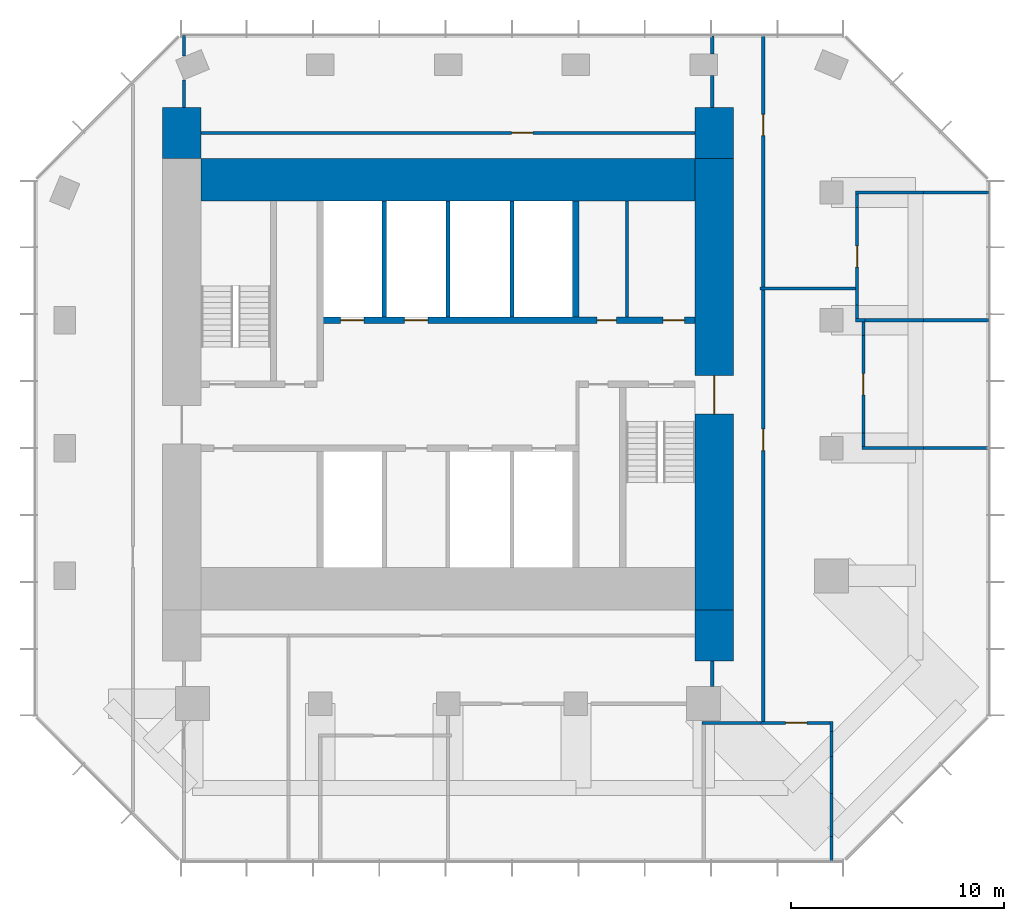
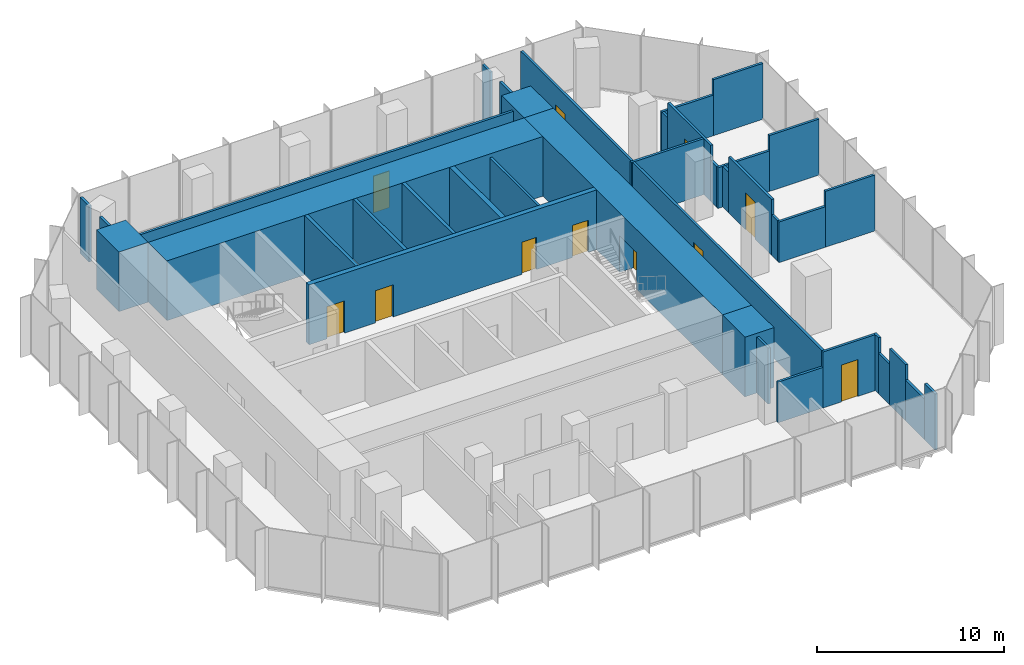
# One storey, part 9 of 11: 40 walls, 11 doors, 11 openings.
"""IFC4 building model written with IfcOpenShell, lengths in metres."""

from ifc_helpers import new_model, si_unit, direction, frame, frame_2d, origin, place, context, subcontext, project, spatial, rectangle, extrude, material, layer, layer_set, type_object, element, fill, save


model = new_model("IFC4")

# Units and contexts
model_context = context("Model", 3, precision=1e-05, world=origin(), true_north=direction((0.0, 1.0)))
body_context = subcontext(model_context, "Body", "Model", "MODEL_VIEW")
ifc_project = project(units=[si_unit("LENGTHUNIT", "METRE"), si_unit("AREAUNIT", "SQUARE_METRE"), si_unit("VOLUMEUNIT", "CUBIC_METRE"), si_unit("PLANEANGLEUNIT", "RADIAN"), si_unit("MASSUNIT", "GRAM", prefix="KILO")], contexts=[model_context])

# Site, building, storey
site_placement = place(None, origin())
site = spatial("IfcSite", under=ifc_project, at=site_placement, CompositionType="ELEMENT")
building_placement = place(site_placement, origin())
building = spatial("IfcBuilding", under=site, at=building_placement, Name="Highveld Stack Headquarters", CompositionType="ELEMENT")
storey_placement = place(building_placement, frame((0.0, 0.0, 287.89990234375)))
storey = spatial("IfcBuildingStorey", under=building, at=storey_placement, Name="L71", CompositionType="ELEMENT", Elevation=287.89990234375)

# Wall, opening, door
ifc_material_1 = material(Name="Concrete C60/75", Category="concrete")
ifc_layer_1 = layer(ifc_material_1, 1.800048828125)
ifc_layer_set_1 = layer_set([ifc_layer_1], Name="Concrete C60/75")
wall_type_1 = type_object("IfcWallType", Name="CORE WALL 1800 C60/75", PredefinedType="SHEAR", material=ifc_layer_set_1)
wall_1_placement = place(storey_placement, frame((18.5, -7.60009765625, 0.0), z_axis=(0.0, 0.0, 1.0), x_axis=(0.0, 1.0, 0.0)))
wall_1 = element("IfcWall", 1, at=wall_1_placement, inside=storey, type_object=wall_type_1, Name="Core wall E L71", PredefinedType="SHEAR", context=body_context, shape_type="SweptSolid", body=[
    extrude(rectangle(XDim=21.2001953125, YDim=1.800048828125, at=frame_2d((10.60009765625, 0.0))), origin(), (0.0, 0.0, 1.0), 3.900146484375),
])
opening_1_placement = place(wall_1_placement, frame((9.199951171875, 0.0, 0.0)))
opening_1 = element("IfcOpeningElement", 2, at=opening_1_placement, cuts=wall_1, Name="Opening L71-02", PredefinedType="OPENING", context=body_context, shape_type="SweptSolid", body=[
    extrude(rectangle(XDim=1.800048828125, YDim=2.39990234375, at=frame_2d((0.89990234375, 1.199951171875))), frame((0.0, 0.909912109375, 0.0), z_axis=(0.0, -1.0, 0.0), x_axis=(1.0, 0.0, 0.0)), (0.0, 0.0, 1.0), 1.820068359375),
])
ifc_material_2 = material(Name="Steel fire door", Category="steel")
door_type_1 = type_object("IfcDoorType", Name="LOBBY FIRE DOOR D4 1800x2400", OperationType="DOUBLE_DOOR_SINGLE_SWING", PredefinedType="DOOR", material=ifc_material_2)
door_1_placement = place(opening_1_placement, origin())
door_1 = element("IfcDoor", 3, at=door_1_placement, inside=storey, type_object=door_type_1, Name="Core east door L71", OperationType="DOUBLE_DOOR_SINGLE_SWING", OverallHeight=2.39990234375, OverallWidth=1.800048828125, PredefinedType="DOOR", context=body_context, shape_type="SweptSolid", body=[
    extrude(rectangle(XDim=1.800048828125, YDim=2.39990234375, at=frame_2d((0.89990234375, 1.199951171875))), frame((0.0, 0.02490234375, 0.0), z_axis=(0.0, -1.0, 0.0), x_axis=(1.0, 0.0, 0.0)), (0.0, 0.0, 1.0), 0.050048828125),
])
fill(opening_1, door_1)

# Wall
ifc_material_3 = material(Name="Concrete C60/75", Category="concrete")
ifc_layer_2 = layer(ifc_material_3, 2.0)
ifc_layer_set_2 = layer_set([ifc_layer_2], Name="Concrete C60/75")
wall_type_2 = type_object("IfcWallType", Name="CORE WALL 2000 C60/75", PredefinedType="SHEAR", material=ifc_layer_set_2)
wall_2_placement = place(storey_placement, frame((-5.60009765625, 12.60009765625, 0.0), z_axis=(0.0, 0.0, 1.0), x_axis=(1.0, 0.0, 0.0)))
element("IfcWall", 4, at=wall_2_placement, inside=storey, type_object=wall_type_2, Name="Core wall N L71", PredefinedType="SHEAR", context=body_context, shape_type="SweptSolid", body=[
    extrude(rectangle(XDim=23.2001953125, YDim=2.0, at=frame_2d((11.60009765625, 0.0))), origin(), (0.0, 0.0, 1.0), 3.900146484375),
])

# Wall, openings, doors
ifc_material_4 = material(Name="Concrete C60/75", Category="concrete")
ifc_layer_3 = layer(ifc_material_4, 0.300048828125)
ifc_layer_set_3 = layer_set([ifc_layer_3], Name="Concrete C60/75")
wall_type_3 = type_object("IfcWallType", Name="CORE WALL 300 C60/75", PredefinedType="SHEAR", material=ifc_layer_set_3)
wall_3_placement = place(storey_placement, frame((-0.14990234375, 6.0, 0.0), z_axis=(0.0, 0.0, 1.0), x_axis=(1.0, 0.0, 0.0)))
wall_3 = element("IfcWall", 5, at=wall_3_placement, inside=storey, type_object=wall_type_3, Name="Core wall I-Y6 L71", PredefinedType="SHEAR", context=body_context, shape_type="SweptSolid", body=[
    extrude(rectangle(XDim=17.75, YDim=0.300048828125, at=frame_2d((8.875, 0.0))), origin(), (0.0, 0.0, 1.0), 3.900146484375),
])
opening_2_placement = place(wall_3_placement, frame((13.14990234375, 0.0, 0.0)))
opening_2 = element("IfcOpeningElement", 6, at=opening_2_placement, cuts=wall_3, Name="Opening L71-08", PredefinedType="OPENING", context=body_context, shape_type="SweptSolid", body=[
    extrude(rectangle(XDim=0.89990234375, YDim=2.10009765625, at=frame_2d((0.449951171875, 1.050048828125))), frame((0.0, 0.159912109375, 0.0), z_axis=(0.0, -1.0, 0.0), x_axis=(1.0, 0.0, 0.0)), (0.0, 0.0, 1.0), 0.320068359375),
])
opening_3_placement = place(wall_3_placement, frame((16.25, 0.0, 0.0)))
opening_3 = element("IfcOpeningElement", 7, at=opening_3_placement, cuts=wall_3, Name="Opening L71-09", PredefinedType="OPENING", context=body_context, shape_type="SweptSolid", body=[
    extrude(rectangle(XDim=1.0, YDim=2.10009765625, at=frame_2d((0.5, 1.050048828125))), frame((0.0, 0.159912109375, 0.0), z_axis=(0.0, -1.0, 0.0), x_axis=(1.0, 0.0, 0.0)), (0.0, 0.0, 1.0), 0.320068359375),
])
opening_4_placement = place(wall_3_placement, frame((1.10009765625, 0.0, 0.0)))
opening_4 = element("IfcOpeningElement", 8, at=opening_4_placement, cuts=wall_3, Name="Opening LD", PredefinedType="OPENING", context=body_context, shape_type="SweptSolid", body=[
    extrude(rectangle(XDim=1.10009765625, YDim=2.10009765625, at=frame_2d((0.550048828125, 1.050048828125))), frame((0.0, 0.159912109375, 0.0), z_axis=(0.0, -1.0, 0.0), x_axis=(1.0, 0.0, 0.0)), (0.0, 0.0, 1.0), 0.320068359375),
])
opening_5_placement = place(wall_3_placement, frame((4.10009765625, 0.0, 0.0)))
opening_5 = element("IfcOpeningElement", 9, at=opening_5_placement, cuts=wall_3, Name="Opening LD", PredefinedType="OPENING", context=body_context, shape_type="SweptSolid", body=[
    extrude(rectangle(XDim=1.10009765625, YDim=2.10009765625, at=frame_2d((0.550048828125, 1.050048828125))), frame((0.0, 0.159912109375, 0.0), z_axis=(0.0, -1.0, 0.0), x_axis=(1.0, 0.0, 0.0)), (0.0, 0.0, 1.0), 0.320068359375),
])
ifc_material_5 = material(Name="Timber door, painted", Category="wood")
door_type_2 = type_object("IfcDoorType", Name="ACCESSIBLE WC DOOR D2 1000x2100", OperationType="SINGLE_SWING_RIGHT", PredefinedType="DOOR", material=ifc_material_5)
door_2_placement = place(opening_3_placement, origin())
door_2 = element("IfcDoor", 10, at=door_2_placement, inside=storey, type_object=door_type_2, Name="Accessible WC door L71", OperationType="SINGLE_SWING_RIGHT", OverallHeight=2.10009765625, OverallWidth=1.0, PredefinedType="DOOR", context=body_context, shape_type="SweptSolid", body=[
    extrude(rectangle(XDim=1.0, YDim=2.10009765625, at=frame_2d((0.5, 1.050048828125))), frame((0.0, 0.02490234375, 0.0), z_axis=(0.0, -1.0, 0.0), x_axis=(1.0, 0.0, 0.0)), (0.0, 0.0, 1.0), 0.050048828125),
])
fill(opening_3, door_2)
ifc_material_6 = material(Name="Stainless steel lift landing door", Category="steel")
door_type_3 = type_object("IfcDoorType", Name="LIFT LANDING DOOR LD 1100x2100", OperationType="DOUBLE_DOOR_SLIDING", PredefinedType="USERDEFINED", material=ifc_material_6)
door_3_placement = place(opening_4_placement, origin())
door_3 = element("IfcDoor", 11, at=door_3_placement, inside=storey, type_object=door_type_3, Name="Lift landing door FF1 L71", ObjectType="LIFT LANDING DOOR", OperationType="DOUBLE_DOOR_SLIDING", OverallHeight=2.10009765625, OverallWidth=1.10009765625, PredefinedType="USERDEFINED", context=body_context, shape_type="SweptSolid", body=[
    extrude(rectangle(XDim=1.10009765625, YDim=2.10009765625, at=frame_2d((0.550048828125, 1.050048828125))), frame((0.0, 0.02490234375, 0.0), z_axis=(0.0, -1.0, 0.0), x_axis=(1.0, 0.0, 0.0)), (0.0, 0.0, 1.0), 0.050048828125),
])
fill(opening_4, door_3)
door_4_placement = place(opening_5_placement, origin())
door_4 = element("IfcDoor", 12, at=door_4_placement, inside=storey, type_object=door_type_3, Name="Lift landing door FF2 L71", ObjectType="LIFT LANDING DOOR", OperationType="DOUBLE_DOOR_SLIDING", OverallHeight=2.10009765625, OverallWidth=1.10009765625, PredefinedType="USERDEFINED", context=body_context, shape_type="SweptSolid", body=[
    extrude(rectangle(XDim=1.10009765625, YDim=2.10009765625, at=frame_2d((0.550048828125, 1.050048828125))), frame((0.0, 0.02490234375, 0.0), z_axis=(0.0, -1.0, 0.0), x_axis=(1.0, 0.0, 0.0)), (0.0, 0.0, 1.0), 0.050048828125),
])
fill(opening_5, door_4)
ifc_material_7 = material(Name="Timber door, painted", Category="wood")
door_type_4 = type_object("IfcDoorType", Name="WC DOOR D1 900x2100", OperationType="SINGLE_SWING_LEFT", PredefinedType="DOOR", material=ifc_material_7)
door_5_placement = place(opening_2_placement, origin())
door_5 = element("IfcDoor", 13, at=door_5_placement, inside=storey, type_object=door_type_4, Name="Male WC door L71", OperationType="SINGLE_SWING_RIGHT", OverallHeight=2.10009765625, OverallWidth=0.89990234375, PredefinedType="DOOR", context=body_context, shape_type="SweptSolid", body=[
    extrude(rectangle(XDim=0.89990234375, YDim=2.10009765625, at=frame_2d((0.449951171875, 1.050048828125))), frame((0.0, 0.02490234375, 0.0), z_axis=(0.0, -1.0, 0.0), x_axis=(1.0, 0.0, 0.0)), (0.0, 0.0, 1.0), 0.050048828125),
])
fill(opening_2, door_5)

# Walls
wall_4_placement = place(storey_placement, frame((12.0, 6.14990234375, 0.0), z_axis=(0.0, 0.0, 1.0), x_axis=(0.0, 1.0, 0.0)))
element("IfcWall", 14, at=wall_4_placement, inside=storey, type_object=wall_type_3, Name="Core wall I-X12N L71", PredefinedType="SHEAR", context=body_context, shape_type="SweptSolid", body=[
    extrude(rectangle(XDim=5.4501953125, YDim=0.300048828125, at=frame_2d((2.72509765625, 0.0))), origin(), (0.0, 0.0, 1.0), 3.900146484375),
])
ifc_material_8 = material(Name="Concrete C60/75", Category="concrete")
ifc_layer_4 = layer(ifc_material_8, 1.800048828125)
ifc_layer_set_4 = layer_set([ifc_layer_4], Name="Concrete C60/75")
wall_type_4 = type_object("IfcWallType", Name="CORE WING WALL 1800 C60/75", PredefinedType="SHEAR", material=ifc_layer_set_4)
for number, where, z_axis, x_axis, name in (
    (15, (-6.5, 13.60009765625, 0.0), (0.0, 0.0, 1.0), (0.0, 1.0, 0.0), "Core wing wall WN L71"),
    (16, (18.5, -10.0, 0.0), (0.0, 0.0, 1.0), (0.0, 1.0, 0.0), "Core wing wall ES L71"),
    (17, (18.5, 13.60009765625, 0.0), (0.0, 0.0, 1.0), (0.0, 1.0, 0.0), "Core wing wall EN L71"),
):
    element("IfcWall", number, at=place(storey_placement, frame(where, z_axis=z_axis, x_axis=x_axis)), inside=storey, type_object=wall_type_4, Name=name, PredefinedType="SHEAR", context=body_context, shape_type="SweptSolid", body=[
        extrude(rectangle(XDim=2.39990234375, YDim=1.800048828125, at=frame_2d((1.199951171875, 0.0))), origin(), (0.0, 0.0, 1.0), 3.900146484375),
    ])
ifc_material_9 = material(Name="Concrete blockwork, fair-faced", Category="masonry")
ifc_layer_5 = layer(ifc_material_9, 0.199951171875)
ifc_layer_set_5 = layer_set([ifc_layer_5], Name="Concrete blockwork, fair-faced")
wall_type_5 = type_object("IfcWallType", Name="LIFT SHAFT ENCLOSURE WALL 200 BLOCKWORK", PredefinedType="SOLIDWALL", material=ifc_layer_set_5)
for number, where, z_axis, x_axis, name in (
    (18, (3.0, 6.14990234375, 0.0), (0.0, 0.0, 1.0), (0.0, 1.0, 0.0), "Lift shaft wall L71"),
    (19, (6.0, 6.14990234375, 0.0), (0.0, 0.0, 1.0), (0.0, 1.0, 0.0), "Lift shaft wall L71"),
    (20, (9.0, 6.14990234375, 0.0), (0.0, 0.0, 1.0), (0.0, 1.0, 0.0), "Lift shaft wall L71"),
):
    element("IfcWall", number, at=place(storey_placement, frame(where, z_axis=z_axis, x_axis=x_axis)), inside=storey, type_object=wall_type_5, Name=name, PredefinedType="SOLIDWALL", context=body_context, shape_type="SweptSolid", body=[
        extrude(rectangle(XDim=5.4501953125, YDim=0.199951171875, at=frame_2d((2.72509765625, 0.0))), origin(), (0.0, 0.0, 1.0), 3.900146484375),
    ])
ifc_material_10 = material(Name="Gypsum plasterboard on steel studs", Category="steel")
ifc_layer_6 = layer(ifc_material_10, 0.14990234375)
ifc_layer_set_6 = layer_set([ifc_layer_6], Name="Gypsum plasterboard on steel studs")
wall_type_6 = type_object("IfcWallType", Name="PARTITION 150 PLASTERBOARD", PredefinedType="PARTITIONING", material=ifc_layer_set_6)
wall_5_placement = place(storey_placement, frame((17.925048828125, -12.89990234375, 0.0), z_axis=(0.0, 0.0, 1.0), x_axis=(1.0, 0.0, 0.0)))
element("IfcWall", 21, at=wall_5_placement, inside=storey, type_object=wall_type_6, Name="Partition Interview room L71", PredefinedType="PARTITIONING", context=body_context, shape_type="SweptSolid", body=[
    extrude(rectangle(XDim=2.76708984375, YDim=0.14990234375, at=frame_2d((1.383544921875, 0.0))), origin(), (0.0, 0.0, 1.0), 2.650146484375),
])

# Wall, opening, door
wall_6_placement = place(storey_placement, frame((20.692138671875, -12.89990234375, 0.0), z_axis=(0.0, 0.0, 1.0), x_axis=(1.0, 0.0, 0.0)))
wall_6 = element("IfcWall", 22, at=wall_6_placement, inside=storey, type_object=wall_type_6, Name="Partition Interview room L71", PredefinedType="PARTITIONING", context=body_context, shape_type="SweptSolid", body=[
    extrude(rectangle(XDim=3.23291015625, YDim=0.14990234375, at=frame_2d((1.616455078125, 0.0))), origin(), (0.0, 0.0, 1.0), 3.650146484375),
])
opening_6_placement = place(wall_6_placement, frame((1.154052734375, 0.0, 0.0)))
opening_6 = element("IfcOpeningElement", 23, at=opening_6_placement, cuts=wall_6, Name="Opening L71-13", PredefinedType="OPENING", context=body_context, shape_type="SweptSolid", body=[
    extrude(rectangle(XDim=1.0, YDim=2.39990234375, at=frame_2d((0.5, 1.199951171875))), frame((0.0, 0.0849609375, 0.0), z_axis=(0.0, -1.0, 0.0), x_axis=(1.0, 0.0, 0.0)), (0.0, 0.0, 1.0), 0.169921875),
])
ifc_material_11 = material(Name="Timber door, oiled ash", Category="wood")
door_type_5 = type_object("IfcDoorType", Name="ROOM DOOR D11 1000x2400", OperationType="SINGLE_SWING_LEFT", PredefinedType="DOOR", material=ifc_material_11)
door_6_placement = place(opening_6_placement, origin())
door_6 = element("IfcDoor", 24, at=door_6_placement, inside=storey, type_object=door_type_5, Name="Interview room door 1 L71", OperationType="SINGLE_SWING_RIGHT", OverallHeight=2.39990234375, OverallWidth=1.0, PredefinedType="DOOR", context=body_context, shape_type="SweptSolid", body=[
    extrude(rectangle(XDim=1.0, YDim=2.39990234375, at=frame_2d((0.5, 1.199951171875))), frame((0.0, 0.02490234375, 0.0), z_axis=(0.0, -1.0, 0.0), x_axis=(1.0, 0.0, 0.0)), (0.0, 0.0, 1.0), 0.050048828125),
])
fill(opening_6, door_6)

# Walls
wall_7_placement = place(storey_placement, frame((25.425048828125, 0.0, 0.0), z_axis=(0.0, 0.0, 1.0), x_axis=(1.0, 0.0, 0.0)))
element("IfcWall", 25, at=wall_7_placement, inside=storey, type_object=wall_type_6, Name="Partition Quiet room L71", PredefinedType="PARTITIONING", context=body_context, shape_type="SweptSolid", body=[
    extrude(rectangle(XDim=2.885009765625, YDim=0.14990234375, at=frame_2d((1.4423828125, 0.0))), origin(), (0.0, 0.0, 1.0), 2.650146484375),
])
wall_8_placement = place(storey_placement, frame((28.31005859375, 0.0, 0.0), z_axis=(0.0, 0.0, 1.0), x_axis=(1.0, 0.0, 0.0)))
element("IfcWall", 26, at=wall_8_placement, inside=storey, type_object=wall_type_6, Name="Partition Quiet room L71", PredefinedType="PARTITIONING", context=body_context, shape_type="SweptSolid", body=[
    extrude(rectangle(XDim=3.0400390625, YDim=0.14990234375, at=frame_2d((1.52001953125, 0.0))), origin(), (0.0, 0.0, 1.0), 3.650146484375),
])
wall_9_placement = place(storey_placement, frame((25.125, 6.0, 0.0), z_axis=(0.0, 0.0, 1.0), x_axis=(1.0, 0.0, 0.0)))
element("IfcWall", 27, at=wall_9_placement, inside=storey, type_object=wall_type_6, Name="Partition Tea kitchen L71", PredefinedType="PARTITIONING", context=body_context, shape_type="SweptSolid", body=[
    extrude(rectangle(XDim=0.449951171875, YDim=0.14990234375, at=frame_2d((0.22509765625, 0.0))), origin(), (0.0, 0.0, 1.0), 2.650146484375),
])
wall_10_placement = place(storey_placement, frame((25.5, 6.0, 0.0), z_axis=(0.0, 0.0, 1.0), x_axis=(1.0, 0.0, 0.0)))
element("IfcWall", 28, at=wall_10_placement, inside=storey, type_object=wall_type_6, Name="Partition Quiet room / Tea kitchen L71", PredefinedType="PARTITIONING", context=body_context, shape_type="SweptSolid", body=[
    extrude(rectangle(XDim=2.81005859375, YDim=0.14990234375, at=frame_2d((1.405029296875, 0.0))), origin(), (0.0, 0.0, 1.0), 2.650146484375),
])
wall_11_placement = place(storey_placement, frame((28.31005859375, 6.0, 0.0), z_axis=(0.0, 0.0, 1.0), x_axis=(1.0, 0.0, 0.0)))
element("IfcWall", 29, at=wall_11_placement, inside=storey, type_object=wall_type_6, Name="Partition Quiet room / Tea kitchen L71", PredefinedType="PARTITIONING", context=body_context, shape_type="SweptSolid", body=[
    extrude(rectangle(XDim=3.06494140625, YDim=0.14990234375, at=frame_2d((1.532470703125, 0.0))), origin(), (0.0, 0.0, 1.0), 3.650146484375),
])
wall_12_placement = place(storey_placement, frame((25.125, 12.0, 0.0), z_axis=(0.0, 0.0, 1.0), x_axis=(1.0, 0.0, 0.0)))
element("IfcWall", 30, at=wall_12_placement, inside=storey, type_object=wall_type_6, Name="Partition Tea kitchen L71", PredefinedType="PARTITIONING", context=body_context, shape_type="SweptSolid", body=[
    extrude(rectangle(XDim=3.18505859375, YDim=0.14990234375, at=frame_2d((1.592529296875, 0.0))), origin(), (0.0, 0.0, 1.0), 2.650146484375),
])
wall_13_placement = place(storey_placement, frame((28.31005859375, 12.0, 0.0), z_axis=(0.0, 0.0, 1.0), x_axis=(1.0, 0.0, 0.0)))
element("IfcWall", 31, at=wall_13_placement, inside=storey, type_object=wall_type_6, Name="Partition Tea kitchen L71", PredefinedType="PARTITIONING", context=body_context, shape_type="SweptSolid", body=[
    extrude(rectangle(XDim=3.06494140625, YDim=0.14990234375, at=frame_2d((1.532470703125, 0.0))), origin(), (0.0, 0.0, 1.0), 3.650146484375),
])
wall_14_placement = place(storey_placement, frame((24.0, -19.375, 0.0), z_axis=(0.0, 0.0, 1.0), x_axis=(0.0, 1.0, 0.0)))
element("IfcWall", 32, at=wall_14_placement, inside=storey, type_object=wall_type_6, Name="Partition Interview room L71", PredefinedType="PARTITIONING", context=body_context, shape_type="SweptSolid", body=[
    extrude(rectangle(XDim=1.137939453125, YDim=0.14990234375, at=frame_2d((0.56884765625, 0.0))), origin(), (0.0, 0.0, 1.0), 3.650146484375),
])
wall_15_placement = place(storey_placement, frame((24.0, -18.237060546875, 0.0), z_axis=(0.0, 0.0, 1.0), x_axis=(0.0, 1.0, 0.0)))
element("IfcWall", 33, at=wall_15_placement, inside=storey, type_object=wall_type_6, Name="Partition Interview room L71", PredefinedType="PARTITIONING", context=body_context, shape_type="SweptSolid", body=[
    extrude(rectangle(XDim=2.029052734375, YDim=0.14990234375, at=frame_2d((1.0146484375, 0.0))), origin(), (0.0, 0.0, 1.0), 2.650146484375),
])
wall_16_placement = place(storey_placement, frame((24.0, -16.2080078125, 0.0), z_axis=(0.0, 0.0, 1.0), x_axis=(0.0, 1.0, 0.0)))
element("IfcWall", 34, at=wall_16_placement, inside=storey, type_object=wall_type_6, Name="Partition Interview room L71", PredefinedType="PARTITIONING", context=body_context, shape_type="SweptSolid", body=[
    extrude(rectangle(XDim=1.718017578125, YDim=0.14990234375, at=frame_2d((0.85888671875, 0.0))), origin(), (0.0, 0.0, 1.0), 3.650146484375),
])
wall_17_placement = place(storey_placement, frame((24.0, -14.489990234375, 0.0), z_axis=(0.0, 0.0, 1.0), x_axis=(0.0, 1.0, 0.0)))
element("IfcWall", 35, at=wall_17_placement, inside=storey, type_object=wall_type_6, Name="Partition Interview room L71", PredefinedType="PARTITIONING", context=body_context, shape_type="SweptSolid", body=[
    extrude(rectangle(XDim=1.179931640625, YDim=0.14990234375, at=frame_2d((0.58984375, 0.0))), origin(), (0.0, 0.0, 1.0), 2.650146484375),
])
wall_18_placement = place(storey_placement, frame((24.0, -13.31005859375, 0.0), z_axis=(0.0, 0.0, 1.0), x_axis=(0.0, 1.0, 0.0)))
element("IfcWall", 36, at=wall_18_placement, inside=storey, type_object=wall_type_6, Name="Partition Interview room L71", PredefinedType="PARTITIONING", context=body_context, shape_type="SweptSolid", body=[
    extrude(rectangle(XDim=0.485107421875, YDim=0.14990234375, at=frame_2d((0.24267578125, 0.0))), origin(), (0.0, 0.0, 1.0), 3.650146484375),
])
wall_19_placement = place(storey_placement, frame((25.199951171875, 6.074951171875, 0.0), z_axis=(0.0, 0.0, 1.0), x_axis=(0.0, 1.0, 0.0)))
element("IfcWall", 37, at=wall_19_placement, inside=storey, type_object=wall_type_6, Name="Partition Tea kitchen L71", PredefinedType="PARTITIONING", context=body_context, shape_type="SweptSolid", body=[
    extrude(rectangle(XDim=0.635009765625, YDim=0.14990234375, at=frame_2d((0.3173828125, 0.0))), origin(), (0.0, 0.0, 1.0), 2.650146484375),
])

# Wall, opening, door
wall_20_placement = place(storey_placement, frame((25.199951171875, 6.7099609375, 0.0), z_axis=(0.0, 0.0, 1.0), x_axis=(0.0, 1.0, 0.0)))
wall_20 = element("IfcWall", 38, at=wall_20_placement, inside=storey, type_object=wall_type_6, Name="Partition Tea kitchen L71", PredefinedType="PARTITIONING", context=body_context, shape_type="SweptSolid", body=[
    extrude(rectangle(XDim=4.580078125, YDim=0.14990234375, at=frame_2d((2.2900390625, 0.0))), origin(), (0.0, 0.0, 1.0), 3.650146484375),
])
opening_7_placement = place(wall_20_placement, frame((1.7900390625, 0.0, 0.0)))
opening_7 = element("IfcOpeningElement", 39, at=opening_7_placement, cuts=wall_20, Name="Opening L71-15", PredefinedType="OPENING", context=body_context, shape_type="SweptSolid", body=[
    extrude(rectangle(XDim=1.0, YDim=2.39990234375, at=frame_2d((0.5, 1.199951171875))), frame((0.0, 0.0849609375, 0.0), z_axis=(0.0, -1.0, 0.0), x_axis=(1.0, 0.0, 0.0)), (0.0, 0.0, 1.0), 0.169921875),
])
door_7_placement = place(opening_7_placement, origin())
door_7 = element("IfcDoor", 40, at=door_7_placement, inside=storey, type_object=door_type_5, Name="Tea kitchen door 1 L71", OperationType="SINGLE_SWING_LEFT", OverallHeight=2.39990234375, OverallWidth=1.0, PredefinedType="DOOR", context=body_context, shape_type="SweptSolid", body=[
    extrude(rectangle(XDim=1.0, YDim=2.39990234375, at=frame_2d((0.5, 1.199951171875))), frame((0.0, 0.02490234375, 0.0), z_axis=(0.0, -1.0, 0.0), x_axis=(1.0, 0.0, 0.0)), (0.0, 0.0, 1.0), 0.050048828125),
])
fill(opening_7, door_7)

# Walls
for number, where, z_axis, x_axis, name in (
    (41, (25.199951171875, 11.2900390625, 0.0), (0.0, 0.0, 1.0), (0.0, 1.0, 0.0), "Partition Tea kitchen L71"),
    (42, (25.5, 0.074951171875, 0.0), (0.0, 0.0, 1.0), (0.0, 1.0, 0.0), "Partition Quiet room L71"),
):
    element("IfcWall", number, at=place(storey_placement, frame(where, z_axis=z_axis, x_axis=x_axis)), inside=storey, type_object=wall_type_6, Name=name, PredefinedType="PARTITIONING", context=body_context, shape_type="SweptSolid", body=[
        extrude(rectangle(XDim=0.635009765625, YDim=0.14990234375, at=frame_2d((0.3173828125, 0.0))), origin(), (0.0, 0.0, 1.0), 2.650146484375),
    ])

# Wall, opening, door
wall_21_placement = place(storey_placement, frame((25.5, 0.7099609375, 0.0), z_axis=(0.0, 0.0, 1.0), x_axis=(0.0, 1.0, 0.0)))
wall_21 = element("IfcWall", 43, at=wall_21_placement, inside=storey, type_object=wall_type_6, Name="Partition Quiet room L71", PredefinedType="PARTITIONING", context=body_context, shape_type="SweptSolid", body=[
    extrude(rectangle(XDim=4.580078125, YDim=0.14990234375, at=frame_2d((2.2900390625, 0.0))), origin(), (0.0, 0.0, 1.0), 3.650146484375),
])
opening_8_placement = place(wall_21_placement, frame((1.7900390625, 0.0, 0.0)))
opening_8 = element("IfcOpeningElement", 44, at=opening_8_placement, cuts=wall_21, Name="Opening L71-14", PredefinedType="OPENING", context=body_context, shape_type="SweptSolid", body=[
    extrude(rectangle(XDim=1.0, YDim=2.39990234375, at=frame_2d((0.5, 1.199951171875))), frame((0.0, 0.0849609375, 0.0), z_axis=(0.0, -1.0, 0.0), x_axis=(1.0, 0.0, 0.0)), (0.0, 0.0, 1.0), 0.169921875),
])
door_8_placement = place(opening_8_placement, origin())
door_8 = element("IfcDoor", 45, at=door_8_placement, inside=storey, type_object=door_type_5, Name="Quiet room door 1 L71", OperationType="SINGLE_SWING_LEFT", OverallHeight=2.39990234375, OverallWidth=1.0, PredefinedType="DOOR", context=body_context, shape_type="SweptSolid", body=[
    extrude(rectangle(XDim=1.0, YDim=2.39990234375, at=frame_2d((0.5, 1.199951171875))), frame((0.0, 0.02490234375, 0.0), z_axis=(0.0, -1.0, 0.0), x_axis=(1.0, 0.0, 0.0)), (0.0, 0.0, 1.0), 0.050048828125),
])
fill(opening_8, door_8)

# Walls
wall_22_placement = place(storey_placement, frame((25.5, 5.2900390625, 0.0), z_axis=(0.0, 0.0, 1.0), x_axis=(0.0, 1.0, 0.0)))
element("IfcWall", 46, at=wall_22_placement, inside=storey, type_object=wall_type_6, Name="Partition Quiet room L71", PredefinedType="PARTITIONING", context=body_context, shape_type="SweptSolid", body=[
    extrude(rectangle(XDim=0.635009765625, YDim=0.14990234375, at=frame_2d((0.3173828125, 0.0))), origin(), (0.0, 0.0, 1.0), 2.650146484375),
])
wall_23_placement = place(storey_placement, frame((-6.39990234375, 16.0, 0.0), z_axis=(0.0, 0.0, 1.0), x_axis=(0.0, 1.0, 0.0)))
element("IfcWall", 47, at=wall_23_placement, inside=storey, type_object=wall_type_6, Name="Partition office neighbourhood L71", PredefinedType="PARTITIONING", context=body_context, shape_type="SweptSolid", body=[
    extrude(rectangle(XDim=1.289306640625, YDim=0.14990234375, at=frame_2d((0.64453125, 0.0))), origin(), (0.0, 0.0, 1.0), 3.650146484375),
])
wall_24_placement = place(storey_placement, frame((-6.39990234375, 18.406494140625, 0.0), z_axis=(0.0, 0.0, 1.0), x_axis=(0.0, 1.0, 0.0)))
element("IfcWall", 48, at=wall_24_placement, inside=storey, type_object=wall_type_6, Name="Partition office neighbourhood L71", PredefinedType="PARTITIONING", context=body_context, shape_type="SweptSolid", body=[
    extrude(rectangle(XDim=0.968505859375, YDim=0.14990234375, at=frame_2d((0.484375, 0.0))), origin(), (0.0, 0.0, 1.0), 3.650146484375),
])

# Wall, opening, door
wall_25_placement = place(storey_placement, frame((-5.60009765625, 14.800048828125, 0.0), z_axis=(0.0, 0.0, 1.0), x_axis=(1.0, 0.0, 0.0)))
wall_25 = element("IfcWall", 49, at=wall_25_placement, inside=storey, type_object=wall_type_6, Name="Partition office neighbourhood L71", PredefinedType="PARTITIONING", context=body_context, shape_type="SweptSolid", body=[
    extrude(rectangle(XDim=23.2001953125, YDim=0.14990234375, at=frame_2d((11.60009765625, 0.0))), origin(), (0.0, 0.0, 1.0), 3.650146484375),
])
opening_9_placement = place(wall_25_placement, frame((14.580078125, 0.0, 0.0)))
opening_9 = element("IfcOpeningElement", 50, at=opening_9_placement, cuts=wall_25, Name="Opening L71-21", PredefinedType="OPENING", context=body_context, shape_type="SweptSolid", body=[
    extrude(rectangle(XDim=1.0, YDim=2.39990234375, at=frame_2d((0.5, 1.199951171875))), frame((0.0, 0.0849609375, 0.0), z_axis=(0.0, -1.0, 0.0), x_axis=(1.0, 0.0, 0.0)), (0.0, 0.0, 1.0), 0.169921875),
])
door_9_placement = place(opening_9_placement, origin())
door_9 = element("IfcDoor", 51, at=door_9_placement, inside=storey, type_object=door_type_5, Name="Office neighbourhood door L71", OperationType="SINGLE_SWING_RIGHT", OverallHeight=2.39990234375, OverallWidth=1.0, PredefinedType="DOOR", context=body_context, shape_type="SweptSolid", body=[
    extrude(rectangle(XDim=1.0, YDim=2.39990234375, at=frame_2d((0.5, 1.199951171875))), frame((0.0, 0.02490234375, 0.0), z_axis=(0.0, -1.0, 0.0), x_axis=(1.0, 0.0, 0.0)), (0.0, 0.0, 1.0), 0.050048828125),
])
fill(opening_9, door_9)

# Walls
wall_26_placement = place(storey_placement, frame((18.39990234375, -11.199951171875, 0.0), z_axis=(0.0, 0.0, 1.0), x_axis=(0.0, 1.0, 0.0)))
element("IfcWall", 52, at=wall_26_placement, inside=storey, type_object=wall_type_6, Name="Partition office neighbourhood L71", PredefinedType="PARTITIONING", context=body_context, shape_type="SweptSolid", body=[
    extrude(rectangle(XDim=1.199951171875, YDim=0.14990234375, at=frame_2d((0.60009765625, 0.0))), origin(), (0.0, 0.0, 1.0), 3.650146484375),
])
wall_27_placement = place(storey_placement, frame((18.39990234375, 16.0, 0.0), z_axis=(0.0, 0.0, 1.0), x_axis=(0.0, 1.0, 0.0)))
element("IfcWall", 53, at=wall_27_placement, inside=storey, type_object=wall_type_6, Name="Partition office neighbourhood L71", PredefinedType="PARTITIONING", context=body_context, shape_type="SweptSolid", body=[
    extrude(rectangle(XDim=1.5, YDim=0.14990234375, at=frame_2d((0.75, 0.0))), origin(), (0.0, 0.0, 1.0), 3.650146484375),
])
wall_28_placement = place(storey_placement, frame((18.39990234375, 18.5, 0.0), z_axis=(0.0, 0.0, 1.0), x_axis=(0.0, 1.0, 0.0)))
element("IfcWall", 54, at=wall_28_placement, inside=storey, type_object=wall_type_6, Name="Partition office neighbourhood L71", PredefinedType="PARTITIONING", context=body_context, shape_type="SweptSolid", body=[
    extrude(rectangle(XDim=0.85009765625, YDim=0.14990234375, at=frame_2d((0.425048828125, 0.0))), origin(), (0.0, 0.0, 1.0), 3.650146484375),
])

# Wall, opening, door
wall_29_placement = place(storey_placement, frame((20.800048828125, -12.824951171875, 0.0), z_axis=(0.0, 0.0, 1.0), x_axis=(0.0, 1.0, 0.0)))
wall_29 = element("IfcWall", 55, at=wall_29_placement, inside=storey, type_object=wall_type_6, Name="Partition office neighbourhood L71", PredefinedType="PARTITIONING", context=body_context, shape_type="SweptSolid", body=[
    extrude(rectangle(XDim=20.25, YDim=0.14990234375, at=frame_2d((10.125, 0.0))), origin(), (0.0, 0.0, 1.0), 3.650146484375),
])
opening_10_placement = place(wall_29_placement, frame((12.7109375, 0.0, 0.0)))
opening_10 = element("IfcOpeningElement", 56, at=opening_10_placement, cuts=wall_29, Name="Opening L71-18", PredefinedType="OPENING", context=body_context, shape_type="SweptSolid", body=[
    extrude(rectangle(XDim=1.0, YDim=2.39990234375, at=frame_2d((0.5, 1.199951171875))), frame((0.0, 0.0849609375, 0.0), z_axis=(0.0, -1.0, 0.0), x_axis=(1.0, 0.0, 0.0)), (0.0, 0.0, 1.0), 0.169921875),
])
door_10_placement = place(opening_10_placement, origin())
door_10 = element("IfcDoor", 57, at=door_10_placement, inside=storey, type_object=door_type_5, Name="Office neighbourhood door L71", OperationType="SINGLE_SWING_RIGHT", OverallHeight=2.39990234375, OverallWidth=1.0, PredefinedType="DOOR", context=body_context, shape_type="SweptSolid", body=[
    extrude(rectangle(XDim=1.0, YDim=2.39990234375, at=frame_2d((0.5, 1.199951171875))), frame((0.0, 0.02490234375, 0.0), z_axis=(0.0, -1.0, 0.0), x_axis=(1.0, 0.0, 0.0)), (0.0, 0.0, 1.0), 0.050048828125),
])
fill(opening_10, door_10)

wall_30_placement = place(storey_placement, frame((20.800048828125, 7.574951171875, 0.0), z_axis=(0.0, 0.0, 1.0), x_axis=(0.0, 1.0, 0.0)))
wall_30 = element("IfcWall", 58, at=wall_30_placement, inside=storey, type_object=wall_type_6, Name="Partition office neighbourhood L71", PredefinedType="PARTITIONING", context=body_context, shape_type="SweptSolid", body=[
    extrude(rectangle(XDim=11.800048828125, YDim=0.14990234375, at=frame_2d((5.89990234375, 0.0))), origin(), (0.0, 0.0, 1.0), 3.650146484375),
])
opening_11_placement = place(wall_30_placement, frame((7.094970703125, 0.0, 0.0)))
opening_11 = element("IfcOpeningElement", 59, at=opening_11_placement, cuts=wall_30, Name="Opening L71-20", PredefinedType="OPENING", context=body_context, shape_type="SweptSolid", body=[
    extrude(rectangle(XDim=1.0, YDim=2.39990234375, at=frame_2d((0.5, 1.199951171875))), frame((0.0, 0.0849609375, 0.0), z_axis=(0.0, -1.0, 0.0), x_axis=(1.0, 0.0, 0.0)), (0.0, 0.0, 1.0), 0.169921875),
])
door_11_placement = place(opening_11_placement, origin())
door_11 = element("IfcDoor", 60, at=door_11_placement, inside=storey, type_object=door_type_5, Name="Office neighbourhood door L71", OperationType="SINGLE_SWING_RIGHT", OverallHeight=2.39990234375, OverallWidth=1.0, PredefinedType="DOOR", context=body_context, shape_type="SweptSolid", body=[
    extrude(rectangle(XDim=1.0, YDim=2.39990234375, at=frame_2d((0.5, 1.199951171875))), frame((0.0, 0.02490234375, 0.0), z_axis=(0.0, -1.0, 0.0), x_axis=(1.0, 0.0, 0.0)), (0.0, 0.0, 1.0), 0.050048828125),
])
fill(opening_11, door_11)

# Walls
wall_31_placement = place(storey_placement, frame((20.64990234375, 7.5, 0.0), z_axis=(0.0, 0.0, 1.0), x_axis=(1.0, 0.0, 0.0)))
element("IfcWall", 61, at=wall_31_placement, inside=storey, type_object=wall_type_6, Name="Partition office neighbourhood L71", PredefinedType="PARTITIONING", context=body_context, shape_type="SweptSolid", body=[
    extrude(rectangle(XDim=4.47509765625, YDim=0.14990234375, at=frame_2d((2.237548828125, 0.0))), origin(), (0.0, 0.0, 1.0), 3.650146484375),
])
ifc_material_12 = material(Name="Concrete blockwork, tiled", Category="masonry")
ifc_layer_7 = layer(ifc_material_12, 0.14990234375)
ifc_layer_set_7 = layer_set([ifc_layer_7], Name="Concrete blockwork, tiled")
wall_type_7 = type_object("IfcWallType", Name="WC PARTITION 150", PredefinedType="PLUMBINGWALL", material=ifc_layer_set_7)
wall_32_placement = place(storey_placement, frame((14.39990234375, 6.14990234375, 0.0), z_axis=(0.0, 0.0, 1.0), x_axis=(0.0, 1.0, 0.0)))
element("IfcWall", 62, at=wall_32_placement, inside=storey, type_object=wall_type_7, Name="Toilet partition L71", PredefinedType="PLUMBINGWALL", context=body_context, shape_type="SweptSolid", body=[
    extrude(rectangle(XDim=5.4501953125, YDim=0.14990234375, at=frame_2d((2.72509765625, 0.0))), origin(), (0.0, 0.0, 1.0), 3.650146484375),
])

save(model, "model.ifc")
